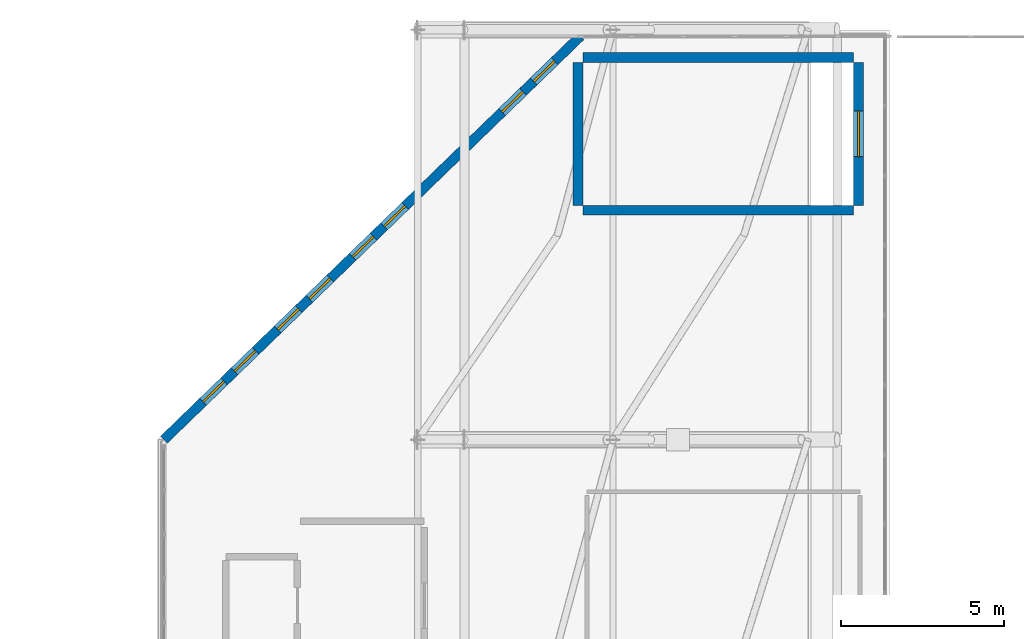
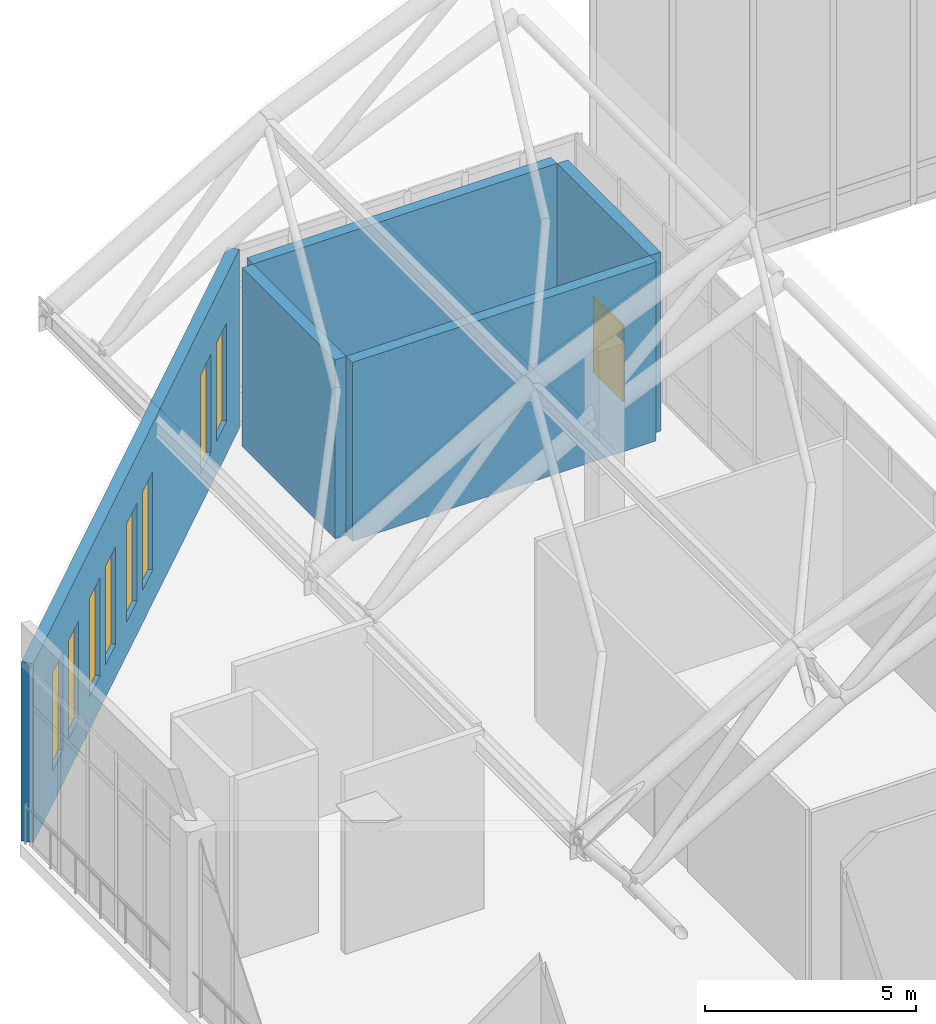
# One storey, part 38 of 42: 8 windows, 5 walls, 1 door, 9 openings.
"""IFC4 building model written with IfcOpenShell, lengths in metres."""

from ifc_helpers import new_model, si_unit, derived_unit, direction, frame, frame_2d, origin, place, context, subcontext, project, spatial, rectangle, extrude, material, layer, layer_set, type_object, element, fill, save


model = new_model("IFC4")

# Units and contexts
model_context = context("Model", 3, precision=1e-05, world=origin(), true_north=direction((0.0, 1.0)))
body_context = subcontext(model_context, "Body", "Model", "MODEL_VIEW")
ifc_project = project(units=[si_unit("LENGTHUNIT", "METRE"), si_unit("AREAUNIT", "SQUARE_METRE"), si_unit("VOLUMEUNIT", "CUBIC_METRE"), si_unit("PLANEANGLEUNIT", "RADIAN"), si_unit("MASSUNIT", "GRAM", prefix="KILO"), derived_unit("THERMALTRANSMITTANCEUNIT", [(si_unit("MASSUNIT", "GRAM", prefix="KILO"), 1), (si_unit("TIMEUNIT", "SECOND"), -3), (si_unit("THERMODYNAMICTEMPERATUREUNIT", "KELVIN"), -1)])], contexts=[model_context])

# Site, building, storey
site_placement = place(None, origin())
site = spatial("IfcSite", under=ifc_project, at=site_placement, CompositionType="ELEMENT")
building_placement = place(site_placement, origin())
building = spatial("IfcBuilding", under=site, at=building_placement, Name="Valcora Ridge Arena", CompositionType="ELEMENT")
storey_placement = place(building_placement, frame((0.0, 0.0, 26.39990234375)))
storey = spatial("IfcBuildingStorey", under=building, at=storey_placement, Name="L05", CompositionType="ELEMENT", Elevation=26.39990234375)

# Wall, openings, windows
ifc_material_1 = material(Name="Bush-hammered Andean travertine on concrete backup C40/50", Category="masonry")
ifc_layer_1 = layer(ifc_material_1, 0.300048828125, Name="Bush-hammered Andean travertine on concrete backup C40/50")
ifc_layer_set_1 = layer_set([ifc_layer_1], Name="Bush-hammered Andean travertine on concrete backup C40/50")
wall_type_1 = type_object("IfcWallType", Name="TY-WALL-EW-TRV-30-52", PredefinedType="STANDARD", material=ifc_layer_set_1)
wall_1_placement = place(storey_placement, frame((29.0, 108.0, 0.0), z_axis=(0.0, 0.0, 1.0), x_axis=(-0.718244287729, -0.695791019736, 0.0)))
wall_1 = element("IfcWall", 1, at=wall_1_placement, inside=storey, type_object=wall_type_1, Name="EW-TRV-30-52 WAL-EW-0064", PredefinedType="STANDARD", context=body_context, shape_type="SweptSolid", body=[
    extrude(rectangle(XDim=17.8212890625, YDim=0.300048828125, at=frame_2d((8.91064453125, 0.0))), origin(), (0.0, 0.0, 1.0), 5.18017578125),
])
opening_1_placement = place(wall_1_placement, frame((1.10009765625, 0.0, 0.949951171875)))
opening_1 = element("IfcOpeningElement", 2, at=opening_1_placement, cuts=wall_1, Name="Opening W-GLAN-90X285", PredefinedType="OPENING", context=body_context, shape_type="SweptSolid", body=[
    extrude(rectangle(XDim=0.89990234375, YDim=2.85009765625, at=frame_2d((0.449951171875, 1.425048828125))), frame((0.0, 0.159912109375, 0.0), z_axis=(0.0, -1.0, 0.0), x_axis=(1.0, 0.0, 0.0)), (0.0, 0.0, 1.0), 0.320068359375),
])
opening_2_placement = place(wall_1_placement, frame((2.449951171875, 0.0, 0.949951171875)))
opening_2 = element("IfcOpeningElement", 3, at=opening_2_placement, cuts=wall_1, Name="Opening W-GLAN-90X285", PredefinedType="OPENING", context=body_context, shape_type="SweptSolid", body=[
    extrude(rectangle(XDim=0.89990234375, YDim=2.85009765625, at=frame_2d((0.449951171875, 1.425048828125))), frame((0.0, 0.159912109375, 0.0), z_axis=(0.0, -1.0, 0.0), x_axis=(1.0, 0.0, 0.0)), (0.0, 0.0, 1.0), 0.320068359375),
])
opening_3_placement = place(wall_1_placement, frame((7.5, 0.0, 0.949951171875)))
opening_3 = element("IfcOpeningElement", 4, at=opening_3_placement, cuts=wall_1, Name="Opening W-GLAN-90X285", PredefinedType="OPENING", context=body_context, shape_type="SweptSolid", body=[
    extrude(rectangle(XDim=0.89990234375, YDim=2.85009765625, at=frame_2d((0.449951171875, 1.425048828125))), frame((0.0, 0.159912109375, 0.0), z_axis=(0.0, -1.0, 0.0), x_axis=(1.0, 0.0, 0.0)), (0.0, 0.0, 1.0), 0.320068359375),
])
opening_4_placement = place(wall_1_placement, frame((8.85009765625, 0.0, 0.949951171875)))
opening_4 = element("IfcOpeningElement", 5, at=opening_4_placement, cuts=wall_1, Name="Opening W-GLAN-90X285", PredefinedType="OPENING", context=body_context, shape_type="SweptSolid", body=[
    extrude(rectangle(XDim=0.89990234375, YDim=2.85009765625, at=frame_2d((0.449951171875, 1.425048828125))), frame((0.0, 0.159912109375, 0.0), z_axis=(0.0, -1.0, 0.0), x_axis=(1.0, 0.0, 0.0)), (0.0, 0.0, 1.0), 0.320068359375),
])
opening_5_placement = place(wall_1_placement, frame((10.699951171875, 0.0, 0.949951171875)))
opening_5 = element("IfcOpeningElement", 6, at=opening_5_placement, cuts=wall_1, Name="Opening W-GLAN-90X285", PredefinedType="OPENING", context=body_context, shape_type="SweptSolid", body=[
    extrude(rectangle(XDim=0.89990234375, YDim=2.85009765625, at=frame_2d((0.449951171875, 1.425048828125))), frame((0.0, 0.159912109375, 0.0), z_axis=(0.0, -1.0, 0.0), x_axis=(1.0, 0.0, 0.0)), (0.0, 0.0, 1.0), 0.320068359375),
])
opening_6_placement = place(wall_1_placement, frame((12.050048828125, 0.0, 0.949951171875)))
opening_6 = element("IfcOpeningElement", 7, at=opening_6_placement, cuts=wall_1, Name="Opening W-GLAN-90X285", PredefinedType="OPENING", context=body_context, shape_type="SweptSolid", body=[
    extrude(rectangle(XDim=0.89990234375, YDim=2.85009765625, at=frame_2d((0.449951171875, 1.425048828125))), frame((0.0, 0.159912109375, 0.0), z_axis=(0.0, -1.0, 0.0), x_axis=(1.0, 0.0, 0.0)), (0.0, 0.0, 1.0), 0.320068359375),
])
opening_7_placement = place(wall_1_placement, frame((13.89990234375, 0.0, 0.949951171875)))
opening_7 = element("IfcOpeningElement", 8, at=opening_7_placement, cuts=wall_1, Name="Opening W-GLAN-90X285", PredefinedType="OPENING", context=body_context, shape_type="SweptSolid", body=[
    extrude(rectangle(XDim=0.89990234375, YDim=2.85009765625, at=frame_2d((0.449951171875, 1.425048828125))), frame((0.0, 0.159912109375, 0.0), z_axis=(0.0, -1.0, 0.0), x_axis=(1.0, 0.0, 0.0)), (0.0, 0.0, 1.0), 0.320068359375),
])
opening_8_placement = place(wall_1_placement, frame((15.25, 0.0, 0.949951171875)))
opening_8 = element("IfcOpeningElement", 9, at=opening_8_placement, cuts=wall_1, Name="Opening W-GLAN-90X285", PredefinedType="OPENING", context=body_context, shape_type="SweptSolid", body=[
    extrude(rectangle(XDim=0.89990234375, YDim=2.85009765625, at=frame_2d((0.449951171875, 1.425048828125))), frame((0.0, 0.159912109375, 0.0), z_axis=(0.0, -1.0, 0.0), x_axis=(1.0, 0.0, 0.0)), (0.0, 0.0, 1.0), 0.320068359375),
])
ifc_material_2 = material(Name="Low-iron solar-control double glazing SHGC 0.28", Category="glass")
window_type = type_object("IfcWindowType", Name="TY-WINDOW-W-GLAN-90X285", PartitioningType="DOUBLE_PANEL_VERTICAL", PredefinedType="WINDOW", material=ifc_material_2)
window_1_placement = place(opening_1_placement, origin())
window_1 = element("IfcWindow", 10, at=window_1_placement, inside=storey, type_object=window_type, Name="W-GLAN-90X285 WIN-EX-0169", OverallHeight=2.85009765625, OverallWidth=0.89990234375, PartitioningType="DOUBLE_PANEL_VERTICAL", PredefinedType="WINDOW", context=body_context, shape_type="SweptSolid", body=[
    extrude(rectangle(XDim=0.89990234375, YDim=2.85009765625, at=frame_2d((0.449951171875, 1.425048828125))), frame((0.0, 0.030029296875, 0.0), z_axis=(0.0, -1.0, 0.0), x_axis=(1.0, 0.0, 0.0)), (0.0, 0.0, 1.0), 0.06005859375),
])
fill(opening_1, window_1)
window_2_placement = place(opening_2_placement, origin())
window_2 = element("IfcWindow", 11, at=window_2_placement, inside=storey, type_object=window_type, Name="W-GLAN-90X285 WIN-EX-0170", OverallHeight=2.85009765625, OverallWidth=0.89990234375, PartitioningType="DOUBLE_PANEL_VERTICAL", PredefinedType="WINDOW", context=body_context, shape_type="SweptSolid", body=[
    extrude(rectangle(XDim=0.89990234375, YDim=2.85009765625, at=frame_2d((0.449951171875, 1.425048828125))), frame((0.0, 0.030029296875, 0.0), z_axis=(0.0, -1.0, 0.0), x_axis=(1.0, 0.0, 0.0)), (0.0, 0.0, 1.0), 0.06005859375),
])
fill(opening_2, window_2)
window_3_placement = place(opening_3_placement, origin())
window_3 = element("IfcWindow", 12, at=window_3_placement, inside=storey, type_object=window_type, Name="W-GLAN-90X285 WIN-EX-0171", OverallHeight=2.85009765625, OverallWidth=0.89990234375, PartitioningType="DOUBLE_PANEL_VERTICAL", PredefinedType="WINDOW", context=body_context, shape_type="SweptSolid", body=[
    extrude(rectangle(XDim=0.89990234375, YDim=2.85009765625, at=frame_2d((0.449951171875, 1.425048828125))), frame((0.0, 0.030029296875, 0.0), z_axis=(0.0, -1.0, 0.0), x_axis=(1.0, 0.0, 0.0)), (0.0, 0.0, 1.0), 0.06005859375),
])
fill(opening_3, window_3)
window_4_placement = place(opening_4_placement, origin())
window_4 = element("IfcWindow", 13, at=window_4_placement, inside=storey, type_object=window_type, Name="W-GLAN-90X285 WIN-EX-0172", OverallHeight=2.85009765625, OverallWidth=0.89990234375, PartitioningType="DOUBLE_PANEL_VERTICAL", PredefinedType="WINDOW", context=body_context, shape_type="SweptSolid", body=[
    extrude(rectangle(XDim=0.89990234375, YDim=2.85009765625, at=frame_2d((0.449951171875, 1.425048828125))), frame((0.0, 0.030029296875, 0.0), z_axis=(0.0, -1.0, 0.0), x_axis=(1.0, 0.0, 0.0)), (0.0, 0.0, 1.0), 0.06005859375),
])
fill(opening_4, window_4)
window_5_placement = place(opening_5_placement, origin())
window_5 = element("IfcWindow", 14, at=window_5_placement, inside=storey, type_object=window_type, Name="W-GLAN-90X285 WIN-EX-0173", OverallHeight=2.85009765625, OverallWidth=0.89990234375, PartitioningType="DOUBLE_PANEL_VERTICAL", PredefinedType="WINDOW", context=body_context, shape_type="SweptSolid", body=[
    extrude(rectangle(XDim=0.89990234375, YDim=2.85009765625, at=frame_2d((0.449951171875, 1.425048828125))), frame((0.0, 0.030029296875, 0.0), z_axis=(0.0, -1.0, 0.0), x_axis=(1.0, 0.0, 0.0)), (0.0, 0.0, 1.0), 0.06005859375),
])
fill(opening_5, window_5)
window_6_placement = place(opening_6_placement, origin())
window_6 = element("IfcWindow", 15, at=window_6_placement, inside=storey, type_object=window_type, Name="W-GLAN-90X285 WIN-EX-0174", OverallHeight=2.85009765625, OverallWidth=0.89990234375, PartitioningType="DOUBLE_PANEL_VERTICAL", PredefinedType="WINDOW", context=body_context, shape_type="SweptSolid", body=[
    extrude(rectangle(XDim=0.89990234375, YDim=2.85009765625, at=frame_2d((0.449951171875, 1.425048828125))), frame((0.0, 0.030029296875, 0.0), z_axis=(0.0, -1.0, 0.0), x_axis=(1.0, 0.0, 0.0)), (0.0, 0.0, 1.0), 0.06005859375),
])
fill(opening_6, window_6)
window_7_placement = place(opening_7_placement, origin())
window_7 = element("IfcWindow", 16, at=window_7_placement, inside=storey, type_object=window_type, Name="W-GLAN-90X285 WIN-EX-0175", OverallHeight=2.85009765625, OverallWidth=0.89990234375, PartitioningType="DOUBLE_PANEL_VERTICAL", PredefinedType="WINDOW", context=body_context, shape_type="SweptSolid", body=[
    extrude(rectangle(XDim=0.89990234375, YDim=2.85009765625, at=frame_2d((0.449951171875, 1.425048828125))), frame((0.0, 0.030029296875, 0.0), z_axis=(0.0, -1.0, 0.0), x_axis=(1.0, 0.0, 0.0)), (0.0, 0.0, 1.0), 0.06005859375),
])
fill(opening_7, window_7)
window_8_placement = place(opening_8_placement, origin())
window_8 = element("IfcWindow", 17, at=window_8_placement, inside=storey, type_object=window_type, Name="W-GLAN-90X285 WIN-EX-0176", OverallHeight=2.85009765625, OverallWidth=0.89990234375, PartitioningType="DOUBLE_PANEL_VERTICAL", PredefinedType="WINDOW", context=body_context, shape_type="SweptSolid", body=[
    extrude(rectangle(XDim=0.89990234375, YDim=2.85009765625, at=frame_2d((0.449951171875, 1.425048828125))), frame((0.0, 0.030029296875, 0.0), z_axis=(0.0, -1.0, 0.0), x_axis=(1.0, 0.0, 0.0)), (0.0, 0.0, 1.0), 0.06005859375),
])
fill(opening_8, window_8)

# Walls
ifc_material_3 = material(Name="Concrete C45/55", Category="concrete")
ifc_layer_2 = layer(ifc_material_3, 0.300048828125, Name="Concrete C45/55")
ifc_layer_set_2 = layer_set([ifc_layer_2], Name="Concrete C45/55")
wall_type_2 = type_object("IfcWallType", Name="TY-WALL-SW-C300-L", PredefinedType="SHEAR", material=ifc_layer_set_2)
for number, where, z_axis, x_axis, name in (
    (18, (29.080078125, 102.64990234375, 0.0), (0.0, 0.0, 1.0), (1.0, 0.0, 0.0), "SW-C300-L WAL-CR-0077"),
    (19, (29.080078125, 107.35009765625, 0.0), (0.0, 0.0, 1.0), (1.0, 0.0, 0.0), "SW-C300-L WAL-CR-0078"),
):
    element("IfcWall", number, at=place(storey_placement, frame(where, z_axis=z_axis, x_axis=x_axis)), inside=storey, type_object=wall_type_2, Name=name, PredefinedType="SHEAR", context=body_context, shape_type="SweptSolid", body=[
        extrude(rectangle(XDim=8.31982421875, YDim=0.300048828125, at=frame_2d((4.159912109375, 0.0))), origin(), (0.0, 0.0, 1.0), 5.18017578125),
    ])
ifc_layer_3 = layer(ifc_material_3, 0.300048828125, Name="Concrete C45/55")
ifc_layer_set_3 = layer_set([ifc_layer_3], Name="Concrete C45/55")
wall_type_3 = type_object("IfcWallType", Name="TY-WALL-SW-C300-S", PredefinedType="SHEAR", material=ifc_layer_set_3)
wall_2_placement = place(storey_placement, frame((28.929931640625, 102.800048828125, 0.0), z_axis=(0.0, 0.0, 1.0), x_axis=(0.0, 1.0, 0.0)))
element("IfcWall", 20, at=wall_2_placement, inside=storey, type_object=wall_type_3, Name="SW-C300-S WAL-CR-0079", PredefinedType="SHEAR", context=body_context, shape_type="SweptSolid", body=[
    extrude(rectangle(XDim=4.39990234375, YDim=0.300048828125, at=frame_2d((2.199951171875, 0.0))), origin(), (0.0, 0.0, 1.0), 5.18017578125),
])

# Wall, opening, door
wall_3_placement = place(storey_placement, frame((37.550048828125, 102.800048828125, 0.0), z_axis=(0.0, 0.0, 1.0), x_axis=(0.0, 1.0, 0.0)))
wall_3 = element("IfcWall", 21, at=wall_3_placement, inside=storey, type_object=wall_type_3, Name="SW-C300-S WAL-CR-0080", PredefinedType="SHEAR", context=body_context, shape_type="SweptSolid", body=[
    extrude(rectangle(XDim=4.39990234375, YDim=0.300048828125, at=frame_2d((2.199951171875, 0.0))), origin(), (0.0, 0.0, 1.0), 5.18017578125),
])
opening_9_placement = place(wall_3_placement, frame((1.5, 0.0, 0.0)))
opening_9 = element("IfcOpeningElement", 22, at=opening_9_placement, cuts=wall_3, Name="Opening FD-01", PredefinedType="OPENING", context=body_context, shape_type="SweptSolid", body=[
    extrude(rectangle(XDim=1.39990234375, YDim=2.199951171875, at=frame_2d((0.699951171875, 1.10009765625))), frame((0.0, 0.159912109375, 0.0), z_axis=(0.0, -1.0, 0.0), x_axis=(1.0, 0.0, 0.0)), (0.0, 0.0, 1.0), 0.320068359375),
])
ifc_material_4 = material(Name="Insulated fire-rated steel door leaf", Category="steel")
door_type = type_object("IfcDoorType", Name="TY-DOOR-FD-01", OperationType="NOTDEFINED", PredefinedType="DOOR", material=ifc_material_4)
door_placement = place(opening_9_placement, origin())
door = element("IfcDoor", 23, at=door_placement, inside=storey, type_object=door_type, Name="FD-01 DOR-ST-0020", OperationType="DOUBLE_DOOR_SINGLE_SWING", OverallHeight=2.199951171875, OverallWidth=1.39990234375, PredefinedType="DOOR", context=body_context, shape_type="SweptSolid", body=[
    extrude(rectangle(XDim=1.39990234375, YDim=2.199951171875, at=frame_2d((0.699951171875, 1.10009765625))), frame((0.0, 0.02490234375, 0.0), z_axis=(0.0, -1.0, 0.0), x_axis=(1.0, 0.0, 0.0)), (0.0, 0.0, 1.0), 0.050048828125),
])
fill(opening_9, door)

save(model, "model.ifc")
